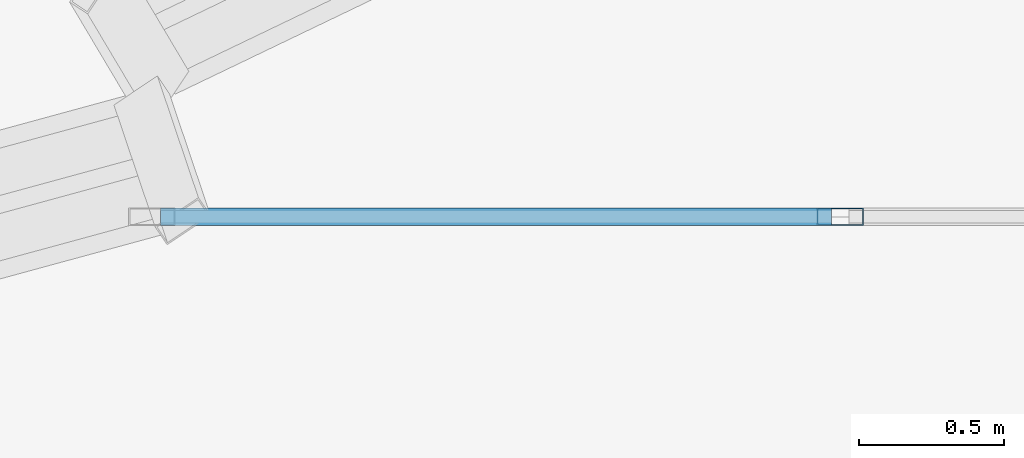
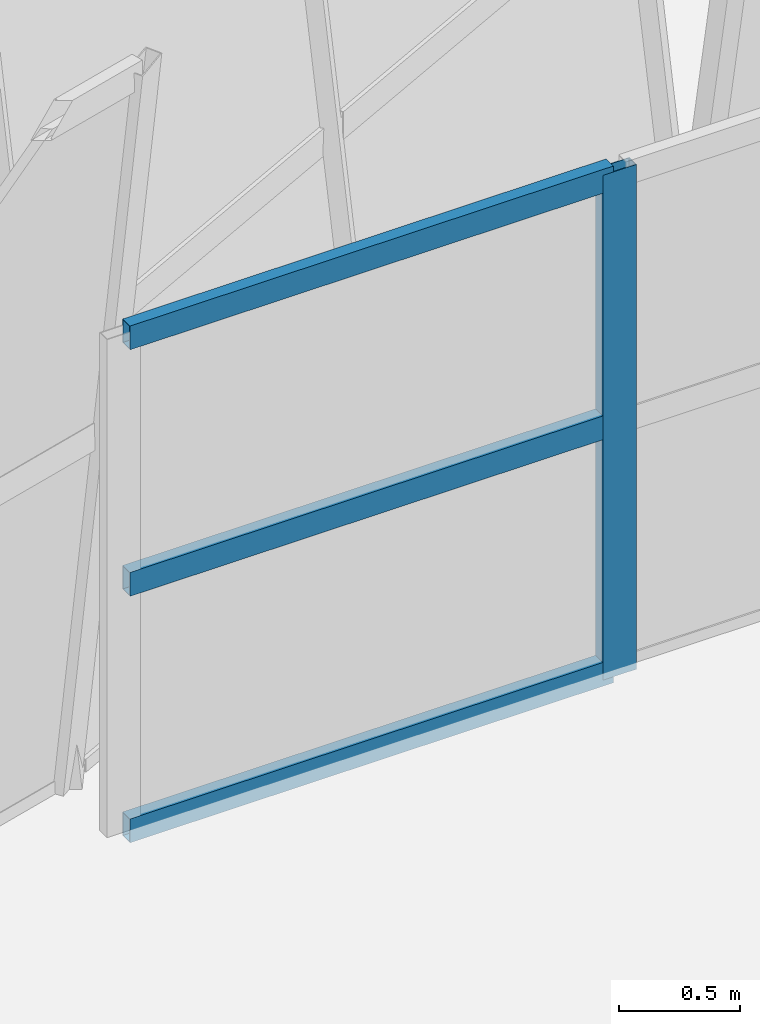
# One storey, part 13 of 40: 4 members, 1 element without a shape of its own.
"""IFC4 building model written with IfcOpenShell, lengths in metres."""

from ifc_helpers import new_model, si_unit, direction, frame, origin, origin_2d, place, context, subcontext, project, spatial, hollow_rectangle, extrude, material, material_profile, profile_set, type_object, element, aggregate, save


model = new_model("IFC4")

# Units and contexts
model_context = context("Model", 3, precision=1e-05, world=origin(), true_north=direction((0.0, 1.0)))
body_context = subcontext(model_context, "Body", "Model", "MODEL_VIEW")
ifc_project = project(units=[si_unit("LENGTHUNIT", "METRE"), si_unit("AREAUNIT", "SQUARE_METRE"), si_unit("VOLUMEUNIT", "CUBIC_METRE"), si_unit("PLANEANGLEUNIT", "RADIAN"), si_unit("MASSUNIT", "GRAM", prefix="KILO")], contexts=[model_context])

# Site, building, storey
site_placement = place(None, origin())
site = spatial("IfcSite", under=ifc_project, at=site_placement, CompositionType="ELEMENT")
building_placement = place(site_placement, origin())
building = spatial("IfcBuilding", under=site, at=building_placement, Name="Korsvaeld Concert Hall", CompositionType="ELEMENT")
storey_placement = place(building_placement, frame((0.0, 0.0, 13.199951171875)))
storey = spatial("IfcBuildingStorey", under=building, at=storey_placement, Name="L03", CompositionType="ELEMENT", Elevation=13.199951171875)

# Curtain wall, members
ifc_material_1 = material(Name="Anodised bronze and ceramic-fritted safety glass", Category="glass")
curtain_wall_type = type_object("IfcCurtainWallType", Name="CW-TYPE-09", PredefinedType="USERDEFINED", material=ifc_material_1)
curtain_wall_placement = place(storey_placement, origin())
curtain_wall = element("IfcCurtainWall", 1, at=curtain_wall_placement, inside=storey, type_object=curtain_wall_type, Name="Glazed foyer acoustic screen L03-41", ObjectType="CURTAIN WALL", PredefinedType="USERDEFINED")
ifc_material_2 = material(Name="Anodised architectural bronze aluminium", Category="aluminium")
ifc_material_profile_1 = material_profile(ifc_material_2, hollow_rectangle(XDim=0.06005859375, YDim=0.159912109375, WallThickness=0.00390625, at=origin_2d()), Name="CWM 160x60x4")
ifc_profile_set_1 = profile_set([ifc_material_profile_1], Name="Anodised architectural bronze aluminium")
member_type_1 = type_object("IfcMemberType", Name="CWM-ALUM-160x60", PredefinedType="MULLION", material=ifc_profile_set_1)
member_1_placement = place(storey_placement, frame((95.39990234375, 43.199951171875, 0.0), z_axis=(0.0, 0.0, 1.0), x_axis=(0.0, 1.0, 0.0)))
member_1 = element("IfcMember", 2, at=member_1_placement, type_object=member_type_1, Name="CW-09 mullion 2", PredefinedType="MULLION", context=body_context, shape_type="SweptSolid", body=[
    extrude(hollow_rectangle(XDim=0.06005859375, YDim=0.159912109375, WallThickness=0.00390625, at=origin_2d()), origin(), (0.0, 0.0, 1.0), 2.550048828125),
])
ifc_material_profile_2 = material_profile(ifc_material_2, hollow_rectangle(XDim=0.06005859375, YDim=0.1201171875, WallThickness=0.00390625, at=origin_2d()), Name="CWT 120x60x4")
ifc_profile_set_2 = profile_set([ifc_material_profile_2], Name="Anodised architectural bronze aluminium")
member_type_2 = type_object("IfcMemberType", Name="CWT-ALUM-120x60", PredefinedType="USERDEFINED", material=ifc_profile_set_2)
member_2_placement = place(storey_placement, frame((93.06005859375, 43.199951171875, 0.030029296875), z_axis=(1.0, 0.0, 0.0), x_axis=(0.0, 1.0, 0.0)))
member_2 = element("IfcMember", 3, at=member_2_placement, type_object=member_type_2, Name="CW-09 transom 1.1", ObjectType="TRANSOM", PredefinedType="USERDEFINED", context=body_context, shape_type="SweptSolid", body=[
    extrude(hollow_rectangle(XDim=0.06005859375, YDim=0.1201171875, WallThickness=0.00390625, at=origin_2d()), origin(), (0.0, 0.0, 1.0), 2.31005859375),
])
member_3_placement = place(storey_placement, frame((93.06005859375, 43.199951171875, 1.275146484375), z_axis=(1.0, 0.0, 0.0), x_axis=(0.0, 1.0, 0.0)))
member_3 = element("IfcMember", 4, at=member_3_placement, type_object=member_type_2, Name="CW-09 transom 1.2", ObjectType="TRANSOM", PredefinedType="USERDEFINED", context=body_context, shape_type="SweptSolid", body=[
    extrude(hollow_rectangle(XDim=0.06005859375, YDim=0.1201171875, WallThickness=0.00390625, at=origin_2d()), origin(), (0.0, 0.0, 1.0), 2.31005859375),
])
member_4_placement = place(storey_placement, frame((93.06005859375, 43.199951171875, 2.52001953125), z_axis=(1.0, 0.0, 0.0), x_axis=(0.0, 1.0, 0.0)))
member_4 = element("IfcMember", 5, at=member_4_placement, type_object=member_type_2, Name="CW-09 transom 1.3", ObjectType="TRANSOM", PredefinedType="USERDEFINED", context=body_context, shape_type="SweptSolid", body=[
    extrude(hollow_rectangle(XDim=0.06005859375, YDim=0.1201171875, WallThickness=0.00390625, at=origin_2d()), origin(), (0.0, 0.0, 1.0), 2.31005859375),
])
aggregate(curtain_wall, [member_1, member_2, member_3, member_4])

save(model, "model.ifc")
